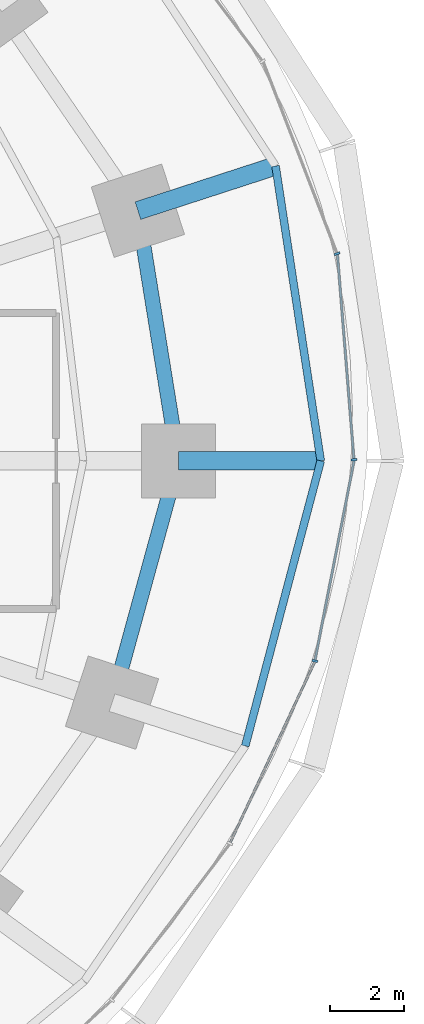
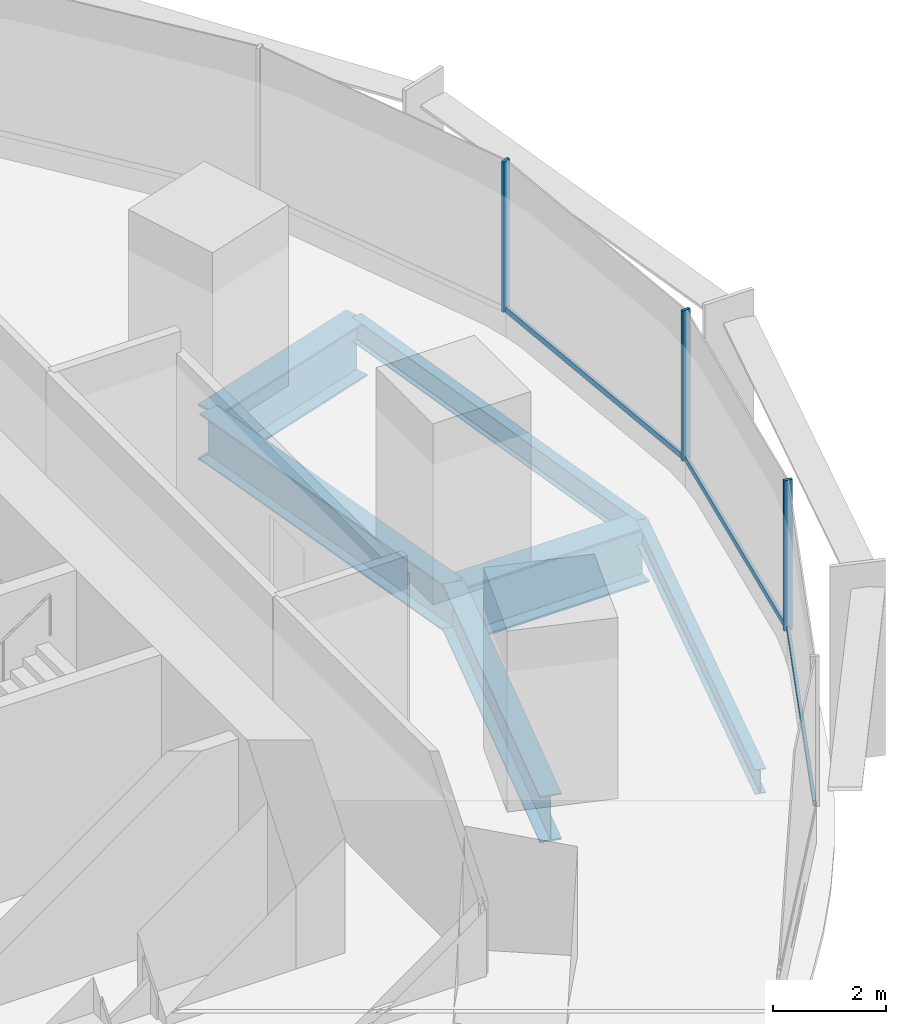
# One storey, part 6 of 15: 6 beams, 6 members, 2 elements without a shape of their own.
"""IFC4 building model written with IfcOpenShell, lengths in metres."""

from ifc_helpers import new_model, si_unit, direction, frame, origin, origin_2d, place, context, subcontext, project, spatial, rectangle, i_section, extrude, material, material_profile, profile_set, type_object, element, aggregate, save


model = new_model("IFC4")

# Units and contexts
model_context = context("Model", 3, precision=1e-05, world=origin(), true_north=direction((0.0, 1.0)))
body_context = subcontext(model_context, "Body", "Model", "MODEL_VIEW")
ifc_project = project(units=[si_unit("LENGTHUNIT", "METRE"), si_unit("AREAUNIT", "SQUARE_METRE"), si_unit("VOLUMEUNIT", "CUBIC_METRE"), si_unit("PLANEANGLEUNIT", "RADIAN"), si_unit("MASSUNIT", "GRAM", prefix="KILO")], contexts=[model_context])

# Site, building, storey
site_placement = place(None, origin())
site = spatial("IfcSite", under=ifc_project, at=site_placement, CompositionType="ELEMENT")
building_placement = place(site_placement, origin())
building = spatial("IfcBuilding", under=site, at=building_placement, Name="Marramba Exchange Tower", CompositionType="ELEMENT")
storey_placement = place(building_placement, frame((0.0, 0.0, 49.0)))
storey = spatial("IfcBuildingStorey", under=building, at=storey_placement, Name="L11", CompositionType="ELEMENT", Elevation=49.0)

# Beams
ifc_material_1 = material(Name="Steel AS/NZS 3679.2 grade 300", Category="steel")
ifc_material_profile_1 = material_profile(ifc_material_1, i_section(OverallWidth=0.5, OverallDepth=1.199951171875, WebThickness=0.01611328125, FlangeThickness=0.0400390625, at=origin_2d()), Name="1200WB455")
ifc_profile_set_1 = profile_set([ifc_material_profile_1], Name="Steel AS/NZS 3679.2 grade 300")
beam_type_1 = type_object("IfcBeamType", Name="Cantilever girder 1200WB455", PredefinedType="BEAM", material=ifc_profile_set_1)
beam_1_placement = place(storey_placement, frame((21.89990234375, 0.0, -0.760009765625), z_axis=(1.0, 0.0, 0.0), x_axis=(0.0, 1.0, 0.0)))
element("IfcBeam", 1, at=beam_1_placement, inside=storey, type_object=beam_type_1, Name="Cantilever girder L11 TC01", PredefinedType="BEAM", context=body_context, shape_type="SweptSolid", body=[
    extrude(i_section(OverallWidth=0.5, OverallDepth=1.199951171875, WebThickness=0.01611328125, FlangeThickness=0.0400390625, at=origin_2d()), origin(), (0.0, 0.0, 1.0), 3.85009765625),
])
beam_2_placement = place(storey_placement, frame((20.808349609375, 6.760986328125, -0.760009765625), z_axis=(0.951058833549, 0.309009862508, 0.0), x_axis=(-0.309009862508, 0.951058833549, 0.0)))
element("IfcBeam", 2, at=beam_2_placement, inside=storey, type_object=beam_type_1, Name="Cantilever girder L11 TC02", PredefinedType="BEAM", context=body_context, shape_type="SweptSolid", body=[
    extrude(i_section(OverallWidth=0.5, OverallDepth=1.199951171875, WebThickness=0.01611328125, FlangeThickness=0.0400390625, at=origin_2d()), origin(), (0.0, 0.0, 1.0), 3.91162109375),
])
ifc_material_profile_2 = material_profile(ifc_material_1, i_section(OverallWidth=0.39990234375, OverallDepth=1.0, WebThickness=0.01611328125, FlangeThickness=0.031982421875, at=origin_2d()), Name="1000WB322")
ifc_profile_set_2 = profile_set([ifc_material_profile_2], Name="Steel AS/NZS 3679.2 grade 300")
beam_type_2 = type_object("IfcBeamType", Name="Ring beam 1000WB322", PredefinedType="SPANDREL", material=ifc_profile_set_2)
beam_3_placement = place(storey_placement, frame((21.89990234375, 0.0, -0.659912109375), z_axis=(-0.159384865399, 0.987216523708, 0.0), x_axis=(-0.987216523708, -0.159384865399, 0.0)))
element("IfcBeam", 3, at=beam_3_placement, inside=storey, type_object=beam_type_2, Name="Ring beam L11 TC01-TC02", PredefinedType="SPANDREL", context=body_context, shape_type="SweptSolid", body=[
    extrude(i_section(OverallWidth=0.39990234375, OverallDepth=1.0, WebThickness=0.01611328125, FlangeThickness=0.031982421875, at=origin_2d()), origin(), (0.0, 0.0, 1.0), 6.8486328125),
])
beam_4_placement = place(storey_placement, frame((20.109375, -6.533935546875, -0.659912109375), z_axis=(0.264291166956, 0.964442937176, 0.0), x_axis=(-0.964442937176, 0.264291166956, 0.0)))
element("IfcBeam", 4, at=beam_4_placement, inside=storey, type_object=beam_type_2, Name="Ring beam L11 TC20-TC01", PredefinedType="SPANDREL", context=body_context, shape_type="SweptSolid", body=[
    extrude(i_section(OverallWidth=0.39990234375, OverallDepth=1.0, WebThickness=0.01611328125, FlangeThickness=0.031982421875, at=origin_2d()), origin(), (0.0, 0.0, 1.0), 6.77490234375),
])
ifc_material_2 = material(Name="Steel AS/NZS 3679.1 grade 300", Category="steel")
ifc_material_profile_3 = material_profile(ifc_material_2, i_section(OverallWidth=0.208984375, OverallDepth=0.528076171875, WebThickness=0.009521484375, FlangeThickness=0.01318359375, FilletRadius=0.013916015625, at=origin_2d()), Name="530UB82.0")
ifc_profile_set_3 = profile_set([ifc_material_profile_3], Name="Steel AS/NZS 3679.1 grade 300")
beam_type_3 = type_object("IfcBeamType", Name="Slab edge beam 530UB82.0", PredefinedType="SPANDREL", material=ifc_profile_set_3)
beam_5_placement = place(storey_placement, frame((25.75, 0.0, -0.424072265625), z_axis=(-0.151490591645, 0.988458699513, 0.0), x_axis=(-0.988458699513, -0.151490591645, 0.0)))
element("IfcBeam", 5, at=beam_5_placement, inside=storey, type_object=beam_type_3, Name="Slab edge beam L11 TC01-TC02", PredefinedType="SPANDREL", context=body_context, shape_type="SweptSolid", body=[
    extrude(i_section(OverallWidth=0.208984375, OverallDepth=0.528076171875, WebThickness=0.009521484375, FlangeThickness=0.01318359375, FilletRadius=0.013916015625, at=origin_2d()), origin(), (0.0, 0.0, 1.0), 8.062744140625),
])
beam_6_placement = place(storey_placement, frame((23.709716796875, -7.703857421875, -0.424072265625), z_axis=(0.25601296674, 0.966673347549, 0.0), x_axis=(-0.966673347549, 0.25601296674, 0.0)))
element("IfcBeam", 6, at=beam_6_placement, inside=storey, type_object=beam_type_3, Name="Slab edge beam L11 TC20-TC01", PredefinedType="SPANDREL", context=body_context, shape_type="SweptSolid", body=[
    extrude(i_section(OverallWidth=0.208984375, OverallDepth=0.528076171875, WebThickness=0.009521484375, FlangeThickness=0.01318359375, FilletRadius=0.013916015625, at=origin_2d()), origin(), (0.0, 0.0, 1.0), 7.969482421875),
])

# Curtain wall, members
ifc_material_3 = material(Name="Aluminium framing, bronze anodised", Category="aluminium")
curtain_wall_type = type_object("IfcCurtainWallType", Name="Trading floor ribbon curtain wall", PredefinedType="USERDEFINED", material=ifc_material_3)
curtain_wall_1_placement = place(storey_placement, origin())
curtain_wall_1 = element("IfcCurtainWall", 7, at=curtain_wall_1_placement, inside=storey, type_object=curtain_wall_type, Name="Curtain wall CW3 L11 F01-F05", ObjectType="RIBBON CURTAIN WALL", PredefinedType="USERDEFINED")
ifc_material_4 = material(Name="Aluminium mullion, bronze anodised", Category="aluminium")
ifc_material_profile_4 = material_profile(ifc_material_4, rectangle(XDim=0.159912109375, YDim=0.06005859375, at=origin_2d()), Name="CW3 mullion 60x160")
ifc_profile_set_4 = profile_set([ifc_material_profile_4], Name="Aluminium mullion, bronze anodised")
member_type_1 = type_object("IfcMemberType", Name="Trading floor ribbon curtain wall mullion", PredefinedType="MULLION", material=ifc_profile_set_4)
member_1_placement = place(storey_placement, frame((26.647705078125, 0.02978515625, 0.800048828125), z_axis=(0.0, 0.0, 1.0), x_axis=(-0.996772736434, -0.080275225953, 0.0)))
member_1 = element("IfcMember", 8, at=member_1_placement, type_object=member_type_1, Name="CW3 mullion 1", PredefinedType="MULLION", context=body_context, shape_type="SweptSolid", body=[
    extrude(rectangle(XDim=0.159912109375, YDim=0.06005859375, at=origin_2d()), origin(), (0.0, 0.0, 1.0), 3.239990234375),
])
member_2_placement = place(storey_placement, frame((26.190673828125, 5.597412109375, 0.800048828125), z_axis=(0.0, 0.0, 1.0), x_axis=(-0.933135256626, -0.359525510698, 0.0)))
member_2 = element("IfcMember", 9, at=member_2_placement, type_object=member_type_1, Name="CW3 mullion 1", PredefinedType="MULLION", context=body_context, shape_type="SweptSolid", body=[
    extrude(rectangle(XDim=0.159912109375, YDim=0.06005859375, at=origin_2d()), origin(), (0.0, 0.0, 1.0), 3.239990234375),
])

# Curtain wall, member
curtain_wall_2_placement = place(storey_placement, origin())
curtain_wall_2 = element("IfcCurtainWall", 10, at=curtain_wall_2_placement, inside=storey, type_object=curtain_wall_type, Name="Curtain wall CW3 L11 F26-F30", ObjectType="RIBBON CURTAIN WALL", PredefinedType="USERDEFINED")
member_3_placement = place(storey_placement, frame((25.59033203125, -5.40869140625, 0.800048828125), z_axis=(0.0, 0.0, 1.0), x_axis=(-0.981346261612, 0.1922485756, 0.0)))
member_3 = element("IfcMember", 11, at=member_3_placement, type_object=member_type_1, Name="CW3 mullion 1", PredefinedType="MULLION", context=body_context, shape_type="SweptSolid", body=[
    extrude(rectangle(XDim=0.159912109375, YDim=0.06005859375, at=origin_2d()), origin(), (0.0, 0.0, 1.0), 3.239990234375),
])

# Member
ifc_material_5 = material(Name="Aluminium transom, bronze anodised", Category="aluminium")
ifc_material_profile_5 = material_profile(ifc_material_5, rectangle(XDim=0.06005859375, YDim=0.1201171875, at=origin_2d()), Name="CW3 transom 60x120")
ifc_profile_set_5 = profile_set([ifc_material_profile_5], Name="Aluminium transom, bronze anodised")
member_type_2 = type_object("IfcMemberType", Name="Trading floor ribbon curtain wall transom", PredefinedType="USERDEFINED", material=ifc_profile_set_5)
member_4_placement = place(storey_placement, frame((26.645263671875, 0.059814453125, 0.830078125), z_axis=(-0.080299960686, 0.99677074411, 0.0), x_axis=(-0.99677074411, -0.080299960686, 0.0)))
member_4 = element("IfcMember", 12, at=member_4_placement, type_object=member_type_2, Name="CW3 sill transom", ObjectType="TRANSOM", PredefinedType="USERDEFINED", context=body_context, shape_type="SweptSolid", body=[
    extrude(rectangle(XDim=0.06005859375, YDim=0.1201171875, at=origin_2d()), origin(), (0.0, 0.0, 1.0), 5.52734375),
])

aggregate(curtain_wall_1, [member_1, member_4, member_2])

member_5_placement = place(storey_placement, frame((23.306640625, -10.31103515625, 0.830078125), z_axis=(0.423511514213, 0.905890720412, 0.0), x_axis=(-0.905890720412, 0.423511514213, 0.0)))
member_5 = element("IfcMember", 13, at=member_5_placement, type_object=member_type_2, Name="CW3 sill transom", ObjectType="TRANSOM", PredefinedType="USERDEFINED", context=body_context, shape_type="SweptSolid", body=[
    extrude(rectangle(XDim=0.06005859375, YDim=0.1201171875, at=origin_2d()), origin(), (0.0, 0.0, 1.0), 5.37890625),
])

member_6_placement = place(storey_placement, frame((25.59619140625, -5.37939453125, 0.830078125), z_axis=(0.192226081646, 0.981350667975, 0.0), x_axis=(-0.981350667975, 0.192226081646, 0.0)))
member_6 = element("IfcMember", 14, at=member_6_placement, type_object=member_type_2, Name="CW3 sill transom", ObjectType="TRANSOM", PredefinedType="USERDEFINED", context=body_context, shape_type="SweptSolid", body=[
    extrude(rectangle(XDim=0.06005859375, YDim=0.1201171875, at=origin_2d()), origin(), (0.0, 0.0, 1.0), 5.481689453125),
])

aggregate(curtain_wall_2, [member_5, member_3, member_6])

save(model, "model.ifc")
